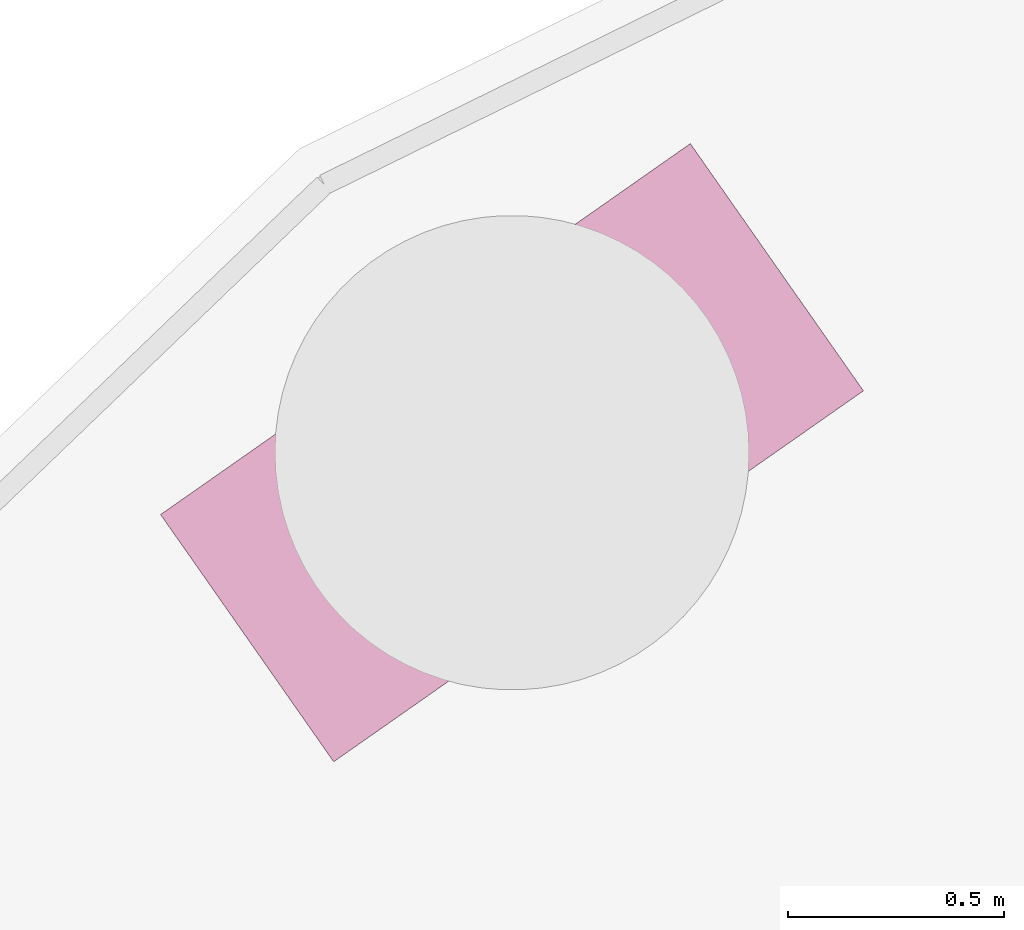
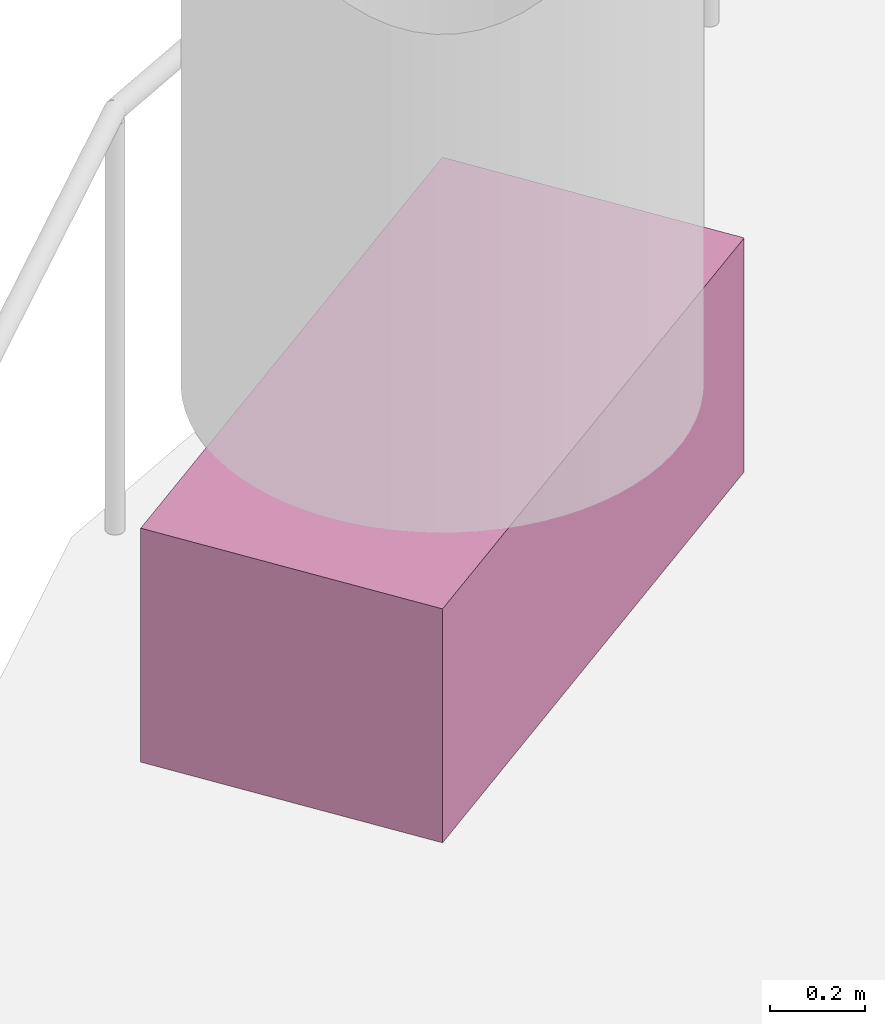
# One storey, part 10 of 11: 1 furniture element.
"""IFC4 building model written with IfcOpenShell, lengths in metres."""

import ifcopenshell
import ifcopenshell.guid

model = None  # the IFC model being written
_history = None  # IfcOwnerHistory: only IFC2X3 demands one
_inside = {}  # id of a spatial element -> (the spatial element, [elements in it])
_under = {}  # id of a project, library or spatial element -> (it, [spatial elements below it])
_declared = {}  # id of a project -> (the project, [libraries it declares])
_typed = {}  # id of a type object -> (the type object, [elements of that type])
_made_of = {}  # id of a material, layer set ... -> (it, [elements and type objects made of it])


def new_model(schema):
    """Start an empty IFC model of exactly this schema.

    Asked for "IFC4X3", IfcOpenShell would pick the latest addendum, in which some entities
    have other attributes; the version numbers below select the first issue.
    IFC2X3 requires an IfcOwnerHistory on every rooted entity: one is made here for all.
    """
    global model, _history
    if schema == "IFC4X3":
        model = ifcopenshell.file(schema_version=(4, 3, 0, 0))
    else:
        model = ifcopenshell.file(schema=schema)
    _inside.clear()
    _under.clear()
    _declared.clear()
    _typed.clear()
    _made_of.clear()
    _history = None
    if model.schema == "IFC2X3":
        org = make("IfcOrganization", Name="unknown")
        user = make(
            "IfcPersonAndOrganization",
            ThePerson=make("IfcPerson", FamilyName="unknown"),
            TheOrganization=org,
        )
        app = make(
            "IfcApplication",
            ApplicationDeveloper=org,
            Version="unknown",
            ApplicationFullName="unknown",
            ApplicationIdentifier="unknown",
        )
        _history = make(
            "IfcOwnerHistory",
            OwningUser=user,
            OwningApplication=app,
            ChangeAction="ADDED",
            CreationDate=0,
        )
    return model


def make(cls, **values):
    """One entity of the class cls with the attributes given. An attribute that is None is left unset."""
    return model.create_entity(
        cls, **{name: value for name, value in values.items() if value is not None}
    )


def rooted(cls, **values):
    """An entity with a GlobalId (a new one), such as an element, a storey or a relation."""
    return make(cls, GlobalId=ifcopenshell.guid.new(), OwnerHistory=_history, **values)


def si_unit(unit_type, name, prefix=None):
    """IfcSIUnit, for example si_unit("LENGTHUNIT", "METRE", prefix="MILLI")."""
    return make("IfcSIUnit", UnitType=unit_type, Prefix=prefix, Name=name)


def assignment(units):
    """IfcUnitAssignment: the units of a project."""
    return None if units is None else make("IfcUnitAssignment", Units=units)


def point(xyz):
    """IfcCartesianPoint."""
    return None if xyz is None else make("IfcCartesianPoint", Coordinates=xyz)


def direction(xyz):
    """IfcDirection."""
    return None if xyz is None else make("IfcDirection", DirectionRatios=xyz)


def frame(location, z_axis=None, x_axis=None):
    """IfcAxis2Placement3D, a coordinate frame: its origin and axes. An axis left out is left unset."""
    return make(
        "IfcAxis2Placement3D",
        Location=point(location),
        Axis=direction(z_axis),
        RefDirection=direction(x_axis),
    )


def frame_2d(location, x_axis=None):
    """IfcAxis2Placement2D, a coordinate frame in the plane: its origin and x axis."""
    return make(
        "IfcAxis2Placement2D", Location=point(location), RefDirection=direction(x_axis)
    )


def origin():
    """The frame at (0, 0, 0) with its axes left unset."""
    return frame((0.0, 0.0, 0.0))


def origin_2d():
    """The frame at (0, 0) in the plane with its x axis left unset."""
    return frame_2d((0.0, 0.0))


def place(relative_to, where):
    """IfcLocalPlacement: puts the frame where relative to a parent placement (None: the world)."""
    return make(
        "IfcLocalPlacement", PlacementRelTo=relative_to, RelativePlacement=where
    )


def context(
    kind, dimensions, precision=None, world=None, true_north=None, identifier=None
):
    """IfcGeometricRepresentationContext, for example the 3D "Model" context."""
    return make(
        "IfcGeometricRepresentationContext",
        ContextIdentifier=identifier,
        ContextType=kind,
        CoordinateSpaceDimension=dimensions,
        Precision=precision,
        WorldCoordinateSystem=world,
        TrueNorth=true_north,
    )


def subcontext(parent, identifier, kind, view, scale=None):
    """IfcGeometricRepresentationSubContext, for example "Body" below "Model"."""
    return make(
        "IfcGeometricRepresentationSubContext",
        ContextIdentifier=identifier,
        ContextType=kind,
        ParentContext=parent,
        TargetScale=scale,
        TargetView=view,
    )


def project(units=None, contexts=None):
    """IfcProject with its units and contexts."""
    return rooted(
        "IfcProject",
        Name="project",
        RepresentationContexts=contexts,
        UnitsInContext=assignment(units),
    )


def spatial(cls, under=None, at=None, **own):
    """A site, building, storey or space (cls), placed at a placement, below another one or the project."""
    s = rooted(cls, ObjectPlacement=at, **own)
    if under is not None:
        _under.setdefault(under.id(), (under, []))[1].append(s)
    return s


def profile(cls, at=None, kind="AREA", **sizes):
    """A parametric profile (cls). Its sizes go by their IFC names, for example OverallWidth=200.0."""
    return make(cls, ProfileType=kind, Position=at, **sizes)


def rectangle(**sizes):
    """IfcRectangleProfileDef."""
    return profile("IfcRectangleProfileDef", **sizes)


def extrude(swept, where, along, depth):
    """IfcExtrudedAreaSolid: the profile swept, set in the frame where, extruded along a direction by depth."""
    return make(
        "IfcExtrudedAreaSolid",
        SweptArea=swept,
        Position=where,
        ExtrudedDirection=direction(along),
        Depth=depth,
    )


def shape(context_of_items, identifier, shape_type, items):
    """IfcShapeRepresentation: the items that make up one representation, for example the "Body"."""
    return make(
        "IfcShapeRepresentation",
        ContextOfItems=context_of_items,
        RepresentationIdentifier=identifier,
        RepresentationType=shape_type,
        Items=items,
    )


def made_of(thing, what):
    """Note that an element or type object is made of a material, layer set ...; save() writes the relation."""
    if what is not None:
        _made_of.setdefault(what.id(), (what, []))[1].append(thing)
    return thing


def element(
    cls,
    number,
    at=None,
    inside=None,
    cuts=None,
    type_object=None,
    material=None,
    context=None,
    identifier="Body",
    shape_type=None,
    held_by="IfcProductDefinitionShape",
    body=None,
    shapes=None,
    **own,
):
    """One element of the class cls, such as IfcWall. Its Tag is "e" and its number.

    at: its placement. inside: the storey or other place that contains it. cuts: it is an
    opening in that element (IfcRelVoidsElement). A single representation is given by context,
    identifier, shape_type and body (its items); several are given by shapes. held_by: the class
    of the entity that holds the representations. save() writes the other relations.
    """
    e = rooted(cls, Tag="e%d" % number, ObjectPlacement=at, **own)
    if body is not None:
        shapes = [shape(context, identifier, shape_type, body)]
    if shapes is not None:
        e.Representation = make(held_by, Representations=shapes)
    if inside is not None:
        _inside.setdefault(inside.id(), (inside, []))[1].append(e)
    if cuts is not None:
        rooted(
            "IfcRelVoidsElement", RelatingBuildingElement=cuts, RelatedOpeningElement=e
        )
    if type_object is not None:
        _typed.setdefault(type_object.id(), (type_object, []))[1].append(e)
    return made_of(e, material)


def aggregate(whole, parts):
    """IfcRelAggregates: a whole, such as a stair, and the parts it consists of."""
    return rooted("IfcRelAggregates", RelatingObject=whole, RelatedObjects=parts)


def save(model, path):
    """Write the relations noted so far, then the file.

    IfcRelAggregates (storeys below a building ...), IfcRelContainedInSpatialStructure (elements
    in a storey), IfcRelDefinesByType, IfcRelAssociatesMaterial and IfcRelDeclares: one each for
    every whole, place, type object, material and project.
    """
    for whole, parts in _under.values():
        aggregate(whole, parts)
    for where, things in _inside.values():
        rooted(
            "IfcRelContainedInSpatialStructure",
            RelatedElements=things,
            RelatingStructure=where,
        )
    for kind, things in _typed.values():
        rooted("IfcRelDefinesByType", RelatedObjects=things, RelatingType=kind)
    for what, things in _made_of.values():
        rooted("IfcRelAssociatesMaterial", RelatedObjects=things, RelatingMaterial=what)
    for by, libraries in _declared.values():
        rooted("IfcRelDeclares", RelatingContext=by, RelatedDefinitions=libraries)
    model.write(path)


model = new_model("IFC4")

# Units and contexts
model_context = context("Model", 3, precision=1e-05, world=origin(), true_north=direction((0.0, 1.0)))
body_context = subcontext(model_context, "Body", "Model", "MODEL_VIEW")
ifc_project = project(units=[si_unit("LENGTHUNIT", "METRE"), si_unit("AREAUNIT", "SQUARE_METRE"), si_unit("VOLUMEUNIT", "CUBIC_METRE"), si_unit("PLANEANGLEUNIT", "RADIAN"), si_unit("MASSUNIT", "GRAM", prefix="KILO")], contexts=[model_context])

# Site, building, storey
site_placement = place(None, origin())
site = spatial("IfcSite", under=ifc_project, at=site_placement, CompositionType="ELEMENT")
building_placement = place(site_placement, origin())
building = spatial("IfcBuilding", under=site, at=building_placement, Name="Skarvind Civic Tower", CompositionType="ELEMENT")
storey_placement = place(building_placement, frame((0.0, 0.0, 212.0)))
storey = spatial("IfcBuildingStorey", under=building, at=storey_placement, Name="L50", CompositionType="ELEMENT", Elevation=212.0)

# Furniture
furniture_placement = place(storey_placement, frame((40.187744140625, 136.30078125, 0.0), z_axis=(0.0, 0.0, 1.0), x_axis=(0.819152044289, 0.573576436351, 0.0)))
element("IfcFurniture", 1, at=furniture_placement, inside=storey, Name="TERRACE PLANTER", ObjectType="PLANTER", PredefinedType="USERDEFINED", context=body_context, shape_type="SweptSolid", body=[
    extrude(rectangle(XDim=1.5, YDim=0.699951171875, at=origin_2d()), origin(), (0.0, 0.0, 1.0), 0.60009765625),
])

save(model, "model.ifc")
